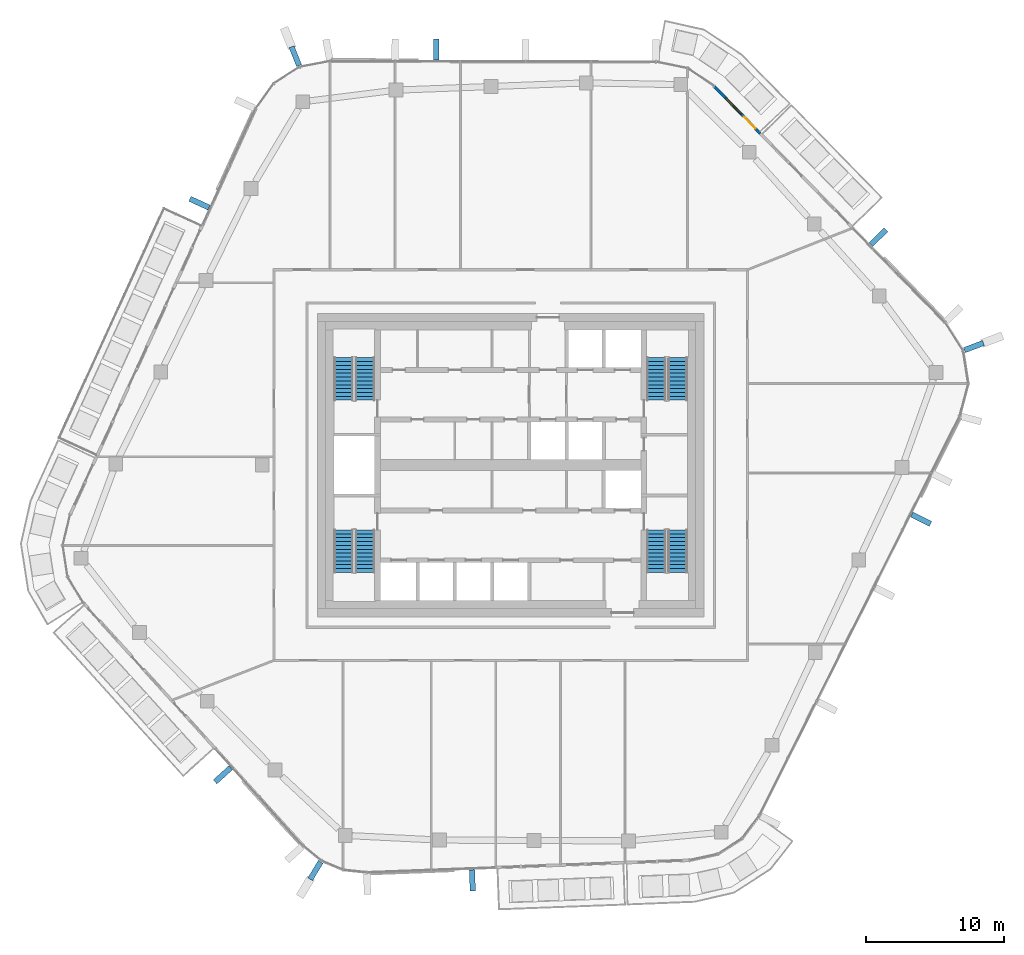
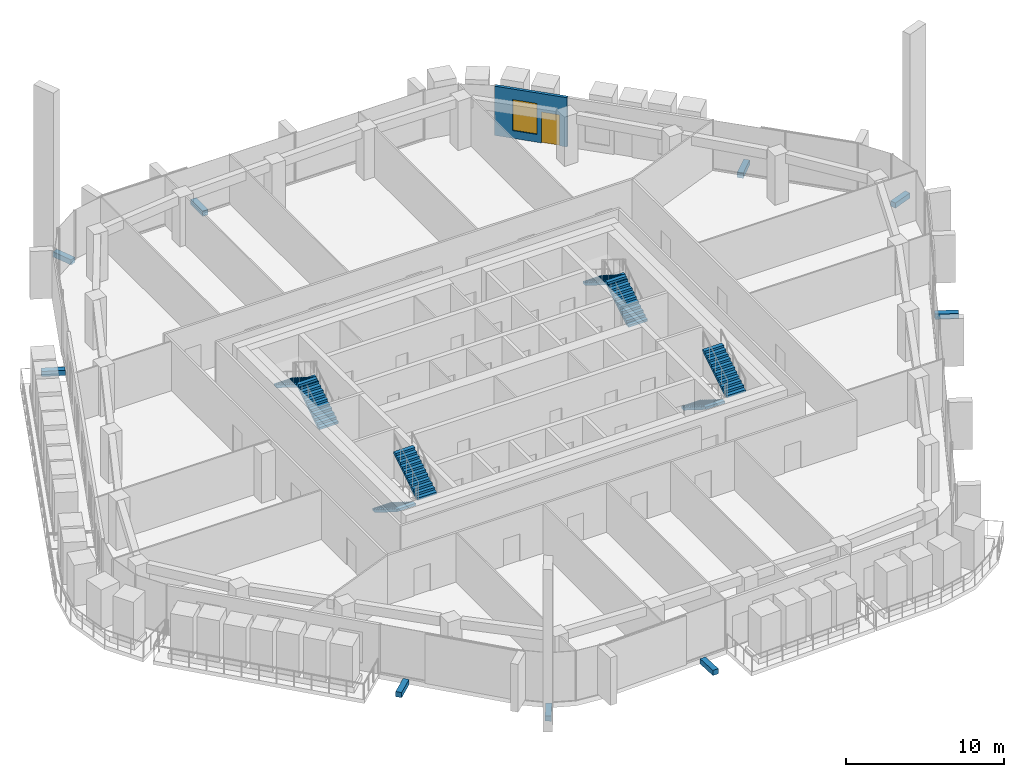
# One storey, part 17 of 24: 9 discrete accessories, 8 stair flights, 1 door, 1 wall, 1 window, 2 openings, 4 elements without a shape of their own.
"""IFC4 building model written with IfcOpenShell, lengths in metres."""

from ifc_helpers import new_model, si_unit, direction, frame, frame_2d, origin, origin_2d, place, context, subcontext, project, spatial, polyline, rectangle, outline, extrude, material, layer, layer_set, type_object, element, fill, aggregate, save


model = new_model("IFC4")

# Units and contexts
model_context = context("Model", 3, precision=1e-05, world=origin(), true_north=direction((0.0, 1.0)))
body_context = subcontext(model_context, "Body", "Model", "MODEL_VIEW")
ifc_project = project(units=[si_unit("LENGTHUNIT", "METRE"), si_unit("AREAUNIT", "SQUARE_METRE"), si_unit("VOLUMEUNIT", "CUBIC_METRE"), si_unit("PLANEANGLEUNIT", "RADIAN"), si_unit("MASSUNIT", "GRAM", prefix="KILO")], contexts=[model_context])

# Site, building, storey
site_placement = place(None, origin())
site = spatial("IfcSite", under=ifc_project, at=site_placement, CompositionType="ELEMENT")
building_placement = place(site_placement, origin())
building = spatial("IfcBuilding", under=site, at=building_placement, Name="Dongbaek Canopy Tower", CompositionType="ELEMENT")
storey_placement = place(building_placement, frame((0.0, 0.0, 306.800048828125)))
storey = spatial("IfcBuildingStorey", under=building, at=storey_placement, Name="L65", CompositionType="ELEMENT", Elevation=306.800048828125)

# Wall, openings, door, window
ifc_material_1 = material(Name="Aluminium window wall", Category="aluminium")
ifc_layer_1 = layer(ifc_material_1, 0.199951171875)
ifc_layer_set_1 = layer_set([ifc_layer_1], Name="Window wall 200")
wall_type = type_object("IfcWallType", Name="Window wall 200", PredefinedType="SOLIDWALL", material=ifc_layer_set_1)
wall_placement = place(storey_placement, frame((18.086181640625, 24.02099609375, 0.0), z_axis=(0.0, 0.0, 1.0), x_axis=(-0.699373628804, 0.714756271279, 0.0)))
wall = element("IfcWall", 1, at=wall_placement, inside=storey, type_object=wall_type, Name="Window wall L65 5", PredefinedType="SOLIDWALL", context=body_context, shape_type="SweptSolid", body=[
    extrude(rectangle(XDim=4.77734375, YDim=0.199951171875, at=frame_2d((2.388671875, 0.0))), origin(), (0.0, 0.0, 1.0), 3.820068359375),
])
opening_1_placement = place(wall_placement, frame((2.0, 0.0, 0.60009765625)))
opening_1 = element("IfcOpeningElement", 2, at=opening_1_placement, cuts=wall, Name="Opening W1", PredefinedType="OPENING", context=body_context, shape_type="SweptSolid", body=[
    extrude(rectangle(XDim=1.60009765625, YDim=2.39990234375, at=frame_2d((0.800048828125, 1.199951171875))), frame((0.0, 0.10986328125, 0.0), z_axis=(0.0, -1.0, 0.0), x_axis=(1.0, 0.0, 0.0)), (0.0, 0.0, 1.0), 0.219970703125),
])
opening_2_placement = place(wall_placement, frame((0.5, 0.0, 0.0)))
opening_2 = element("IfcOpeningElement", 3, at=opening_2_placement, cuts=wall, Name="Opening L65-B03", PredefinedType="OPENING", context=body_context, shape_type="SweptSolid", body=[
    extrude(rectangle(XDim=1.199951171875, YDim=2.39990234375, at=frame_2d((0.60009765625, 1.199951171875))), frame((0.0, 0.10986328125, 0.0), z_axis=(0.0, -1.0, 0.0), x_axis=(1.0, 0.0, 0.0)), (0.0, 0.0, 1.0), 0.219970703125),
])
ifc_material_2 = material(Name="Clear glazing in aluminium frame", Category="aluminium")
door_type = type_object("IfcDoorType", Name="Balcony door BD1 1200 x 2400", OperationType="SLIDING_TO_LEFT", PredefinedType="DOOR", material=ifc_material_2)
door_placement = place(opening_2_placement, origin())
door = element("IfcDoor", 4, at=door_placement, inside=storey, type_object=door_type, Name="Balcony door L65-B03", OperationType="SLIDING_TO_LEFT", OverallHeight=2.39990234375, OverallWidth=1.199951171875, PredefinedType="DOOR", context=body_context, shape_type="SweptSolid", body=[
    extrude(rectangle(XDim=1.199951171875, YDim=2.39990234375, at=frame_2d((0.60009765625, 1.199951171875))), frame((0.0, 0.02490234375, 0.0), z_axis=(0.0, -1.0, 0.0), x_axis=(1.0, 0.0, 0.0)), (0.0, 0.0, 1.0), 0.050048828125),
])
fill(opening_2, door)
ifc_material_3 = material(Name="Clear glazing in aluminium frame", Category="aluminium")
window_type = type_object("IfcWindowType", Name="Window W1 1600 x 2400", PartitioningType="SINGLE_PANEL", PredefinedType="WINDOW", material=ifc_material_3)
window_placement = place(opening_1_placement, origin())
window = element("IfcWindow", 5, at=window_placement, inside=storey, type_object=window_type, Name="Window L65 5.1", OverallHeight=2.39990234375, OverallWidth=1.60009765625, PartitioningType="SINGLE_PANEL", PredefinedType="WINDOW", context=body_context, shape_type="SweptSolid", body=[
    extrude(rectangle(XDim=1.60009765625, YDim=2.39990234375, at=frame_2d((0.800048828125, 1.199951171875))), frame((0.0, 0.030029296875, 0.0), z_axis=(0.0, -1.0, 0.0), x_axis=(1.0, 0.0, 0.0)), (0.0, 0.0, 1.0), 0.06005859375),
])
fill(opening_1, window)

# Stair, stair flights
ifc_material_4 = material(Name="Concrete C40/50", Category="concrete")
stair_type = type_object("IfcStairType", Name="Core exit stair", PredefinedType="HALF_TURN_STAIR", material=ifc_material_4)
stair_1_placement = place(storey_placement, origin())
stair_1 = element("IfcStair", 6, at=stair_1_placement, inside=storey, type_object=stair_type, Name="L65 exit stair A", PredefinedType="HALF_TURN_STAIR")
ifc_material_5 = material(Name="Concrete C40/50", Category="concrete")
ifc_layer_2 = layer(ifc_material_5, 0.14990234375)
ifc_layer_set_2 = layer_set([ifc_layer_2], Name="Core stair flight 150 waist")
stair_flight_type = type_object("IfcStairFlightType", Name="Core stair flight 150 waist", PredefinedType="STRAIGHT", material=ifc_layer_set_2)
stair_flight_1_placement = place(storey_placement, frame((12.10009765625, 4.699951171875, 0.0), z_axis=(0.0, 0.0, 1.0), x_axis=(0.0, 1.0, 0.0)))
stair_flight_1 = element("IfcStairFlight", 7, at=stair_flight_1_placement, type_object=stair_flight_type, Name="ST-A flight 1", NumberOfRisers=12, NumberOfTreads=11, PredefinedType="STRAIGHT", RiserHeight=0.175, TreadLength=0.28, context=body_context, shape_type="SweptSolid", body=[
    extrude(outline(polyline([(0.0, 0.0), (0.0, 0.175048828125), (0.280029296875, 0.175048828125), (0.280029296875, 0.35009765625), (0.56005859375, 0.35009765625), (0.56005859375, 0.52490234375), (0.840087890625, 0.52490234375), (0.840087890625, 0.699951171875), (1.1201171875, 0.699951171875), (1.1201171875, 0.875), (1.39990234375, 0.875), (1.39990234375, 1.050048828125), (1.679931640625, 1.050048828125), (1.679931640625, 1.22509765625), (1.9599609375, 1.22509765625), (1.9599609375, 1.39990234375), (2.239990234375, 1.39990234375), (2.239990234375, 1.574951171875), (2.52001953125, 1.574951171875), (2.52001953125, 1.75), (2.800048828125, 1.75), (2.800048828125, 1.925048828125), (3.080078125, 1.925048828125), (3.080078125, 2.10009765625), (3.080078125, 1.748291015625), (0.28271484375, 0.0), (0.0, 0.0)])), frame((0.0, 0.699951171875, 0.0), z_axis=(0.0, -1.0, 0.0), x_axis=(1.0, 0.0, 0.0)), (0.0, 0.0, 1.0), 1.39990234375),
])
stair_flight_2_placement = place(storey_placement, frame((10.550048828125, 7.780029296875, 2.099853515625), z_axis=(0.0, 0.0, 1.0), x_axis=(0.0, -1.0, 0.0)))
stair_flight_2 = element("IfcStairFlight", 8, at=stair_flight_2_placement, type_object=stair_flight_type, Name="ST-A flight 2", NumberOfRisers=12, NumberOfTreads=11, PredefinedType="STRAIGHT", RiserHeight=0.175, TreadLength=0.28, context=body_context, shape_type="SweptSolid", body=[
    extrude(outline(polyline([(0.0, 0.0), (0.0, 0.175048828125), (0.280029296875, 0.175048828125), (0.280029296875, 0.35009765625), (0.56005859375, 0.35009765625), (0.56005859375, 0.52490234375), (0.840087890625, 0.52490234375), (0.840087890625, 0.699951171875), (1.1201171875, 0.699951171875), (1.1201171875, 0.875), (1.39990234375, 0.875), (1.39990234375, 1.050048828125), (1.679931640625, 1.050048828125), (1.679931640625, 1.22509765625), (1.9599609375, 1.22509765625), (1.9599609375, 1.39990234375), (2.239990234375, 1.39990234375), (2.239990234375, 1.574951171875), (2.52001953125, 1.574951171875), (2.52001953125, 1.75), (2.800048828125, 1.75), (2.800048828125, 1.925048828125), (3.080078125, 1.925048828125), (3.080078125, 2.10009765625), (3.080078125, 1.748291015625), (0.28271484375, 0.0), (0.0, 0.0)])), frame((0.0, 0.699951171875, 0.0), z_axis=(0.0, -1.0, 0.0), x_axis=(1.0, 0.0, 0.0)), (0.0, 0.0, 1.0), 1.39990234375),
])
aggregate(stair_1, [stair_flight_1, stair_flight_2])

stair_2_placement = place(storey_placement, origin())
stair_2 = element("IfcStair", 9, at=stair_2_placement, inside=storey, type_object=stair_type, Name="L65 exit stair C", PredefinedType="HALF_TURN_STAIR")
stair_flight_3_placement = place(storey_placement, frame((-10.550048828125, 4.699951171875, 0.0), z_axis=(0.0, 0.0, 1.0), x_axis=(0.0, 1.0, 0.0)))
stair_flight_3 = element("IfcStairFlight", 10, at=stair_flight_3_placement, type_object=stair_flight_type, Name="ST-C flight 1", NumberOfRisers=12, NumberOfTreads=11, PredefinedType="STRAIGHT", RiserHeight=0.175, TreadLength=0.28, context=body_context, shape_type="SweptSolid", body=[
    extrude(outline(polyline([(0.0, 0.0), (0.0, 0.175048828125), (0.280029296875, 0.175048828125), (0.280029296875, 0.35009765625), (0.56005859375, 0.35009765625), (0.56005859375, 0.52490234375), (0.840087890625, 0.52490234375), (0.840087890625, 0.699951171875), (1.1201171875, 0.699951171875), (1.1201171875, 0.875), (1.39990234375, 0.875), (1.39990234375, 1.050048828125), (1.679931640625, 1.050048828125), (1.679931640625, 1.22509765625), (1.9599609375, 1.22509765625), (1.9599609375, 1.39990234375), (2.239990234375, 1.39990234375), (2.239990234375, 1.574951171875), (2.52001953125, 1.574951171875), (2.52001953125, 1.75), (2.800048828125, 1.75), (2.800048828125, 1.925048828125), (3.080078125, 1.925048828125), (3.080078125, 2.10009765625), (3.080078125, 1.748291015625), (0.28271484375, 0.0), (0.0, 0.0)])), frame((0.0, 0.699951171875, 0.0), z_axis=(0.0, -1.0, 0.0), x_axis=(1.0, 0.0, 0.0)), (0.0, 0.0, 1.0), 1.39990234375),
])
stair_flight_4_placement = place(storey_placement, frame((-12.10009765625, 7.780029296875, 2.099853515625), z_axis=(0.0, 0.0, 1.0), x_axis=(0.0, -1.0, 0.0)))
stair_flight_4 = element("IfcStairFlight", 11, at=stair_flight_4_placement, type_object=stair_flight_type, Name="ST-C flight 2", NumberOfRisers=12, NumberOfTreads=11, PredefinedType="STRAIGHT", RiserHeight=0.175, TreadLength=0.28, context=body_context, shape_type="SweptSolid", body=[
    extrude(outline(polyline([(0.0, 0.0), (0.0, 0.175048828125), (0.280029296875, 0.175048828125), (0.280029296875, 0.35009765625), (0.56005859375, 0.35009765625), (0.56005859375, 0.52490234375), (0.840087890625, 0.52490234375), (0.840087890625, 0.699951171875), (1.1201171875, 0.699951171875), (1.1201171875, 0.875), (1.39990234375, 0.875), (1.39990234375, 1.050048828125), (1.679931640625, 1.050048828125), (1.679931640625, 1.22509765625), (1.9599609375, 1.22509765625), (1.9599609375, 1.39990234375), (2.239990234375, 1.39990234375), (2.239990234375, 1.574951171875), (2.52001953125, 1.574951171875), (2.52001953125, 1.75), (2.800048828125, 1.75), (2.800048828125, 1.925048828125), (3.080078125, 1.925048828125), (3.080078125, 2.10009765625), (3.080078125, 1.748291015625), (0.28271484375, 0.0), (0.0, 0.0)])), frame((0.0, 0.699951171875, 0.0), z_axis=(0.0, -1.0, 0.0), x_axis=(1.0, 0.0, 0.0)), (0.0, 0.0, 1.0), 1.39990234375),
])
aggregate(stair_2, [stair_flight_3, stair_flight_4])

stair_3_placement = place(storey_placement, origin())
stair_3 = element("IfcStair", 12, at=stair_3_placement, inside=storey, type_object=stair_type, Name="L65 exit stair B", PredefinedType="HALF_TURN_STAIR")
stair_flight_5_placement = place(storey_placement, frame((10.550048828125, -4.699951171875, 0.0), z_axis=(0.0, 0.0, 1.0), x_axis=(0.0, -1.0, 0.0)))
stair_flight_5 = element("IfcStairFlight", 13, at=stair_flight_5_placement, type_object=stair_flight_type, Name="ST-B flight 1", NumberOfRisers=12, NumberOfTreads=11, PredefinedType="STRAIGHT", RiserHeight=0.175, TreadLength=0.28, context=body_context, shape_type="SweptSolid", body=[
    extrude(outline(polyline([(0.0, 0.0), (0.0, 0.175048828125), (0.280029296875, 0.175048828125), (0.280029296875, 0.35009765625), (0.56005859375, 0.35009765625), (0.56005859375, 0.52490234375), (0.840087890625, 0.52490234375), (0.840087890625, 0.699951171875), (1.1201171875, 0.699951171875), (1.1201171875, 0.875), (1.39990234375, 0.875), (1.39990234375, 1.050048828125), (1.679931640625, 1.050048828125), (1.679931640625, 1.22509765625), (1.9599609375, 1.22509765625), (1.9599609375, 1.39990234375), (2.239990234375, 1.39990234375), (2.239990234375, 1.574951171875), (2.52001953125, 1.574951171875), (2.52001953125, 1.75), (2.800048828125, 1.75), (2.800048828125, 1.925048828125), (3.080078125, 1.925048828125), (3.080078125, 2.10009765625), (3.080078125, 1.748291015625), (0.28271484375, 0.0), (0.0, 0.0)])), frame((0.0, 0.699951171875, 0.0), z_axis=(0.0, -1.0, 0.0), x_axis=(1.0, 0.0, 0.0)), (0.0, 0.0, 1.0), 1.39990234375),
])
stair_flight_6_placement = place(storey_placement, frame((12.10009765625, -7.780029296875, 2.099853515625), z_axis=(0.0, 0.0, 1.0), x_axis=(0.0, 1.0, 0.0)))
stair_flight_6 = element("IfcStairFlight", 14, at=stair_flight_6_placement, type_object=stair_flight_type, Name="ST-B flight 2", NumberOfRisers=12, NumberOfTreads=11, PredefinedType="STRAIGHT", RiserHeight=0.175, TreadLength=0.28, context=body_context, shape_type="SweptSolid", body=[
    extrude(outline(polyline([(0.0, 0.0), (0.0, 0.175048828125), (0.280029296875, 0.175048828125), (0.280029296875, 0.35009765625), (0.56005859375, 0.35009765625), (0.56005859375, 0.52490234375), (0.840087890625, 0.52490234375), (0.840087890625, 0.699951171875), (1.1201171875, 0.699951171875), (1.1201171875, 0.875), (1.39990234375, 0.875), (1.39990234375, 1.050048828125), (1.679931640625, 1.050048828125), (1.679931640625, 1.22509765625), (1.9599609375, 1.22509765625), (1.9599609375, 1.39990234375), (2.239990234375, 1.39990234375), (2.239990234375, 1.574951171875), (2.52001953125, 1.574951171875), (2.52001953125, 1.75), (2.800048828125, 1.75), (2.800048828125, 1.925048828125), (3.080078125, 1.925048828125), (3.080078125, 2.10009765625), (3.080078125, 1.748291015625), (0.28271484375, 0.0), (0.0, 0.0)])), frame((0.0, 0.699951171875, 0.0), z_axis=(0.0, -1.0, 0.0), x_axis=(1.0, 0.0, 0.0)), (0.0, 0.0, 1.0), 1.39990234375),
])
aggregate(stair_3, [stair_flight_5, stair_flight_6])

stair_4_placement = place(storey_placement, origin())
stair_4 = element("IfcStair", 15, at=stair_4_placement, inside=storey, type_object=stair_type, Name="L65 exit stair D", PredefinedType="HALF_TURN_STAIR")
stair_flight_7_placement = place(storey_placement, frame((-12.10009765625, -4.699951171875, 0.0), z_axis=(0.0, 0.0, 1.0), x_axis=(0.0, -1.0, 0.0)))
stair_flight_7 = element("IfcStairFlight", 16, at=stair_flight_7_placement, type_object=stair_flight_type, Name="ST-D flight 1", NumberOfRisers=12, NumberOfTreads=11, PredefinedType="STRAIGHT", RiserHeight=0.175, TreadLength=0.28, context=body_context, shape_type="SweptSolid", body=[
    extrude(outline(polyline([(0.0, 0.0), (0.0, 0.175048828125), (0.280029296875, 0.175048828125), (0.280029296875, 0.35009765625), (0.56005859375, 0.35009765625), (0.56005859375, 0.52490234375), (0.840087890625, 0.52490234375), (0.840087890625, 0.699951171875), (1.1201171875, 0.699951171875), (1.1201171875, 0.875), (1.39990234375, 0.875), (1.39990234375, 1.050048828125), (1.679931640625, 1.050048828125), (1.679931640625, 1.22509765625), (1.9599609375, 1.22509765625), (1.9599609375, 1.39990234375), (2.239990234375, 1.39990234375), (2.239990234375, 1.574951171875), (2.52001953125, 1.574951171875), (2.52001953125, 1.75), (2.800048828125, 1.75), (2.800048828125, 1.925048828125), (3.080078125, 1.925048828125), (3.080078125, 2.10009765625), (3.080078125, 1.748291015625), (0.28271484375, 0.0), (0.0, 0.0)])), frame((0.0, 0.699951171875, 0.0), z_axis=(0.0, -1.0, 0.0), x_axis=(1.0, 0.0, 0.0)), (0.0, 0.0, 1.0), 1.39990234375),
])
stair_flight_8_placement = place(storey_placement, frame((-10.550048828125, -7.780029296875, 2.099853515625), z_axis=(0.0, 0.0, 1.0), x_axis=(0.0, 1.0, 0.0)))
stair_flight_8 = element("IfcStairFlight", 17, at=stair_flight_8_placement, type_object=stair_flight_type, Name="ST-D flight 2", NumberOfRisers=12, NumberOfTreads=11, PredefinedType="STRAIGHT", RiserHeight=0.175, TreadLength=0.28, context=body_context, shape_type="SweptSolid", body=[
    extrude(outline(polyline([(0.0, 0.0), (0.0, 0.175048828125), (0.280029296875, 0.175048828125), (0.280029296875, 0.35009765625), (0.56005859375, 0.35009765625), (0.56005859375, 0.52490234375), (0.840087890625, 0.52490234375), (0.840087890625, 0.699951171875), (1.1201171875, 0.699951171875), (1.1201171875, 0.875), (1.39990234375, 0.875), (1.39990234375, 1.050048828125), (1.679931640625, 1.050048828125), (1.679931640625, 1.22509765625), (1.9599609375, 1.22509765625), (1.9599609375, 1.39990234375), (2.239990234375, 1.39990234375), (2.239990234375, 1.574951171875), (2.52001953125, 1.574951171875), (2.52001953125, 1.75), (2.800048828125, 1.75), (2.800048828125, 1.925048828125), (3.080078125, 1.925048828125), (3.080078125, 2.10009765625), (3.080078125, 1.748291015625), (0.28271484375, 0.0), (0.0, 0.0)])), frame((0.0, 0.699951171875, 0.0), z_axis=(0.0, -1.0, 0.0), x_axis=(1.0, 0.0, 0.0)), (0.0, 0.0, 1.0), 1.39990234375),
])
aggregate(stair_4, [stair_flight_7, stair_flight_8])

# Discrete accessories
ifc_material_6 = material(Name="Galvanised steel S355 bracket", Category="steel")
discrete_accessory_type = type_object("IfcDiscreteAccessoryType", Name="Crease fin bracket BR3 400", PredefinedType="BRACKET", material=ifc_material_6)
discrete_accessory_1_placement = place(storey_placement, frame((29.74072265625, -3.9189453125, -0.389892578125), z_axis=(0.0, 0.0, 1.0), x_axis=(0.89373340269, -0.448598489649, 0.0)))
element("IfcDiscreteAccessory", 18, at=discrete_accessory_1_placement, inside=storey, type_object=discrete_accessory_type, Name="Crease fin bracket L65 F5", PredefinedType="BRACKET", context=body_context, shape_type="SweptSolid", body=[
    extrude(rectangle(XDim=1.517578125, YDim=0.39990234375, at=origin_2d()), origin(), (0.0, 0.0, 1.0), 0.39990234375),
])
discrete_accessory_2_placement = place(storey_placement, frame((26.643310546875, 16.5146484375, -0.389892578125), z_axis=(0.0, 0.0, 1.0), x_axis=(0.714780338527, 0.699349031354, 0.0)))
element("IfcDiscreteAccessory", 19, at=discrete_accessory_2_placement, inside=storey, type_object=discrete_accessory_type, Name="Crease fin bracket L65 F0", PredefinedType="BRACKET", context=body_context, shape_type="SweptSolid", body=[
    extrude(rectangle(XDim=1.53369140625, YDim=0.39990234375, at=origin_2d()), origin(), (0.0, 0.0, 1.0), 0.39990234375),
])
discrete_accessory_3_placement = place(storey_placement, frame((-5.390625, 30.118896484375, -0.389892578125), z_axis=(0.0, 0.0, 1.0), x_axis=(0.002179914509, 0.999997623984, 0.0)))
element("IfcDiscreteAccessory", 20, at=discrete_accessory_3_placement, inside=storey, type_object=discrete_accessory_type, Name="Crease fin bracket L65 F1", PredefinedType="BRACKET", context=body_context, shape_type="SweptSolid", body=[
    extrude(rectangle(XDim=1.53515625, YDim=0.39990234375, at=origin_2d()), origin(), (0.0, 0.0, 1.0), 0.39990234375),
])
discrete_accessory_4_placement = place(storey_placement, frame((-22.550048828125, 18.974365234375, -0.389892578125), z_axis=(0.0, 0.0, 1.0), x_axis=(-0.909496035384, 0.415712594974, 0.0)))
element("IfcDiscreteAccessory", 21, at=discrete_accessory_4_placement, inside=storey, type_object=discrete_accessory_type, Name="Crease fin bracket L65 F2", PredefinedType="BRACKET", context=body_context, shape_type="SweptSolid", body=[
    extrude(rectangle(XDim=1.518798828125, YDim=0.39990234375, at=origin_2d()), origin(), (0.0, 0.0, 1.0), 0.39990234375),
])
discrete_accessory_5_placement = place(storey_placement, frame((-20.8525390625, -22.43994140625, -0.389892578125), z_axis=(0.0, 0.0, 1.0), x_axis=(-0.741254621337, -0.671223946494, 0.0)))
element("IfcDiscreteAccessory", 22, at=discrete_accessory_5_placement, inside=storey, type_object=discrete_accessory_type, Name="Crease fin bracket L65 F3", PredefinedType="BRACKET", context=body_context, shape_type="SweptSolid", body=[
    extrude(rectangle(XDim=1.5361328125, YDim=0.39990234375, at=origin_2d()), origin(), (0.0, 0.0, 1.0), 0.39990234375),
])
discrete_accessory_6_placement = place(storey_placement, frame((-2.77587890625, -30.088134765625, -0.389892578125), z_axis=(0.0, 0.0, 1.0), x_axis=(0.037712855819, -0.99928861722, 0.0)))
element("IfcDiscreteAccessory", 23, at=discrete_accessory_6_placement, inside=storey, type_object=discrete_accessory_type, Name="Crease fin bracket L65 F4", PredefinedType="BRACKET", context=body_context, shape_type="SweptSolid", body=[
    extrude(rectangle(XDim=1.535888671875, YDim=0.39990234375, at=origin_2d()), origin(), (0.0, 0.0, 1.0), 0.39990234375),
])
for number, where, z_axis, x_axis, name in (
    (24, (33.561279296875, 8.587646484375, -0.389892578125), (0.0, 0.0, 1.0), (0.93545266757, 0.353451986464, 0.0), "Corner fin bracket L65 K0"),
    (25, (-15.603271484375, 29.62451171875, -0.389892578125), (0.0, 0.0, 1.0), (-0.370212122195, 0.928947245316, 0.0), "Corner fin bracket L65 K2"),
    (26, (-14.14599609375, -29.37548828125, -0.389892578125), (0.0, 0.0, 1.0), (-0.517605951027, -0.855619120556, 0.0), "Corner fin bracket L65 K4"),
):
    element("IfcDiscreteAccessory", number, at=place(storey_placement, frame(where, z_axis=z_axis, x_axis=x_axis)), inside=storey, type_object=discrete_accessory_type, Name=name, PredefinedType="BRACKET", context=body_context, shape_type="SweptSolid", body=[
        extrude(rectangle(XDim=1.469970703125, YDim=0.39990234375, at=origin_2d()), origin(), (0.0, 0.0, 1.0), 0.39990234375),
    ])

save(model, "model.ifc")
